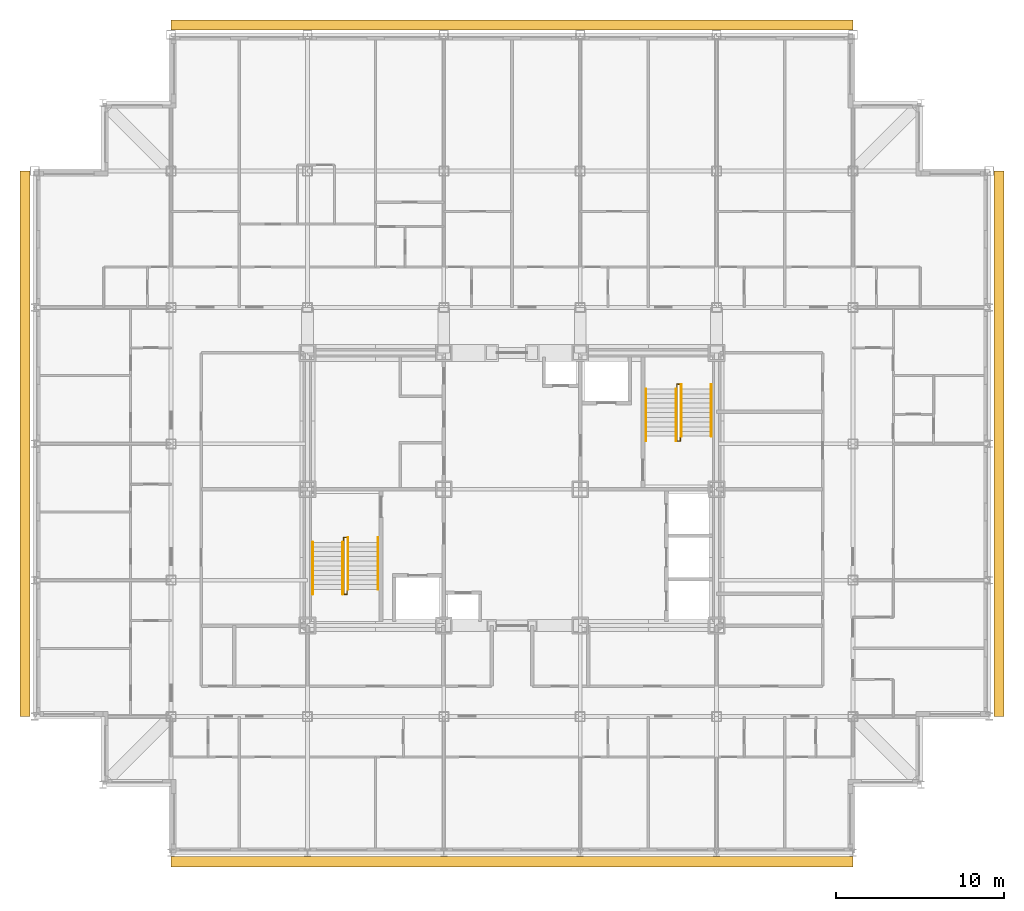
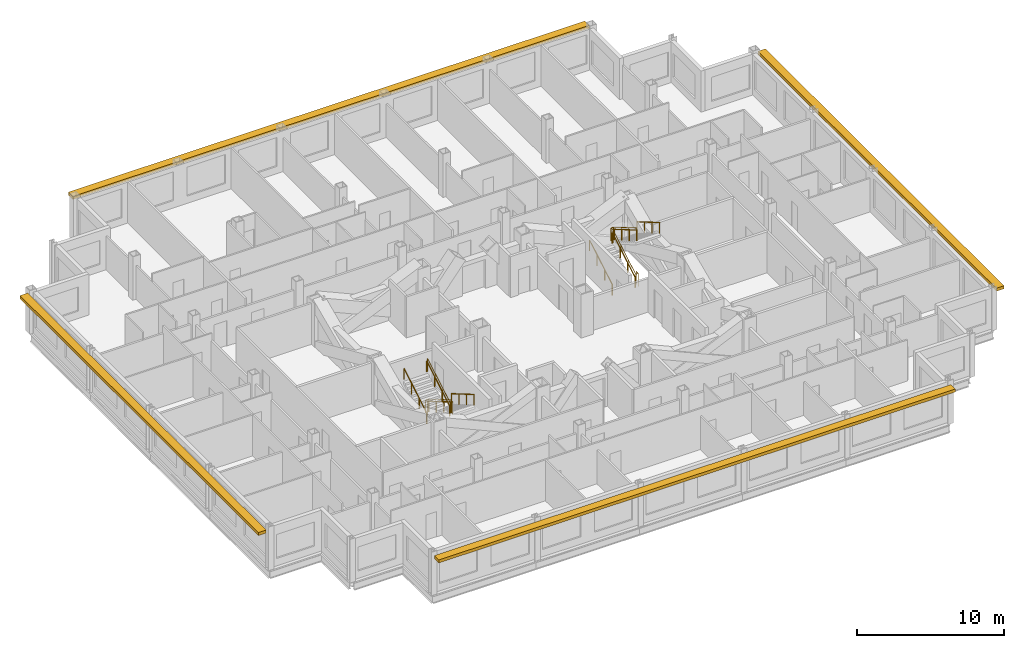
# One storey, part 12 of 12: 10 railings, 4 shading devices.
"""IFC4 building model written with IfcOpenShell, lengths in metres."""

from ifc_helpers import new_model, si_unit, direction, frame, origin, origin_2d, place, context, subcontext, project, spatial, rectangle, circle, extrude, material, type_object, element, save


model = new_model("IFC4")

# Units and contexts
model_context = context("Model", 3, precision=1e-05, world=origin(), true_north=direction((0.0, 1.0)))
body_context = subcontext(model_context, "Body", "Model", "MODEL_VIEW")
ifc_project = project(units=[si_unit("LENGTHUNIT", "METRE"), si_unit("AREAUNIT", "SQUARE_METRE"), si_unit("VOLUMEUNIT", "CUBIC_METRE"), si_unit("PLANEANGLEUNIT", "RADIAN"), si_unit("MASSUNIT", "GRAM", prefix="KILO")], contexts=[model_context])

# Site, building, storey
site_placement = place(None, origin())
site = spatial("IfcSite", under=ifc_project, at=site_placement, CompositionType="ELEMENT")
building_placement = place(site_placement, origin())
building = spatial("IfcBuilding", under=site, at=building_placement, Name="Kopane Lantern Tower", CompositionType="ELEMENT")
storey_placement = place(building_placement, frame((0.0, 0.0, 199.199951171875)))
storey = spatial("IfcBuildingStorey", under=building, at=storey_placement, Name="L51", CompositionType="ELEMENT", Elevation=199.199951171875)

# Railings
ifc_material_1 = material(Name="Steel", Category="steel")
railing_type_1 = type_object("IfcRailingType", Name="STAIR GUARD 1100", PredefinedType="GUARDRAIL", material=ifc_material_1)
railing_1_placement = place(storey_placement, frame((18.35009765625, 29.25, 0.0)))
element("IfcRailing", 1, at=railing_1_placement, inside=storey, type_object=railing_type_1, Name="ST1 well guard L51", PredefinedType="GUARDRAIL", context=body_context, shape_type="SweptSolid", body=[
    extrude(circle(Radius=0.02392578125, at=origin_2d()), frame((0.0, 0.0, 1.076171875), z_axis=(0.0, 1.0, 0.0), x_axis=(-1.0, 0.0, 0.0)), (0.0, 0.0, 1.0), 0.280029296875),
    extrude(circle(Radius=0.02392578125, at=origin_2d()), frame((0.0, 0.280029296875, 1.076171875), z_axis=(1.0, 0.0, 0.0), x_axis=(0.0, 1.0, 0.0)), (0.0, 0.0, 1.0), 0.199951171875),
    extrude(circle(Radius=0.02392578125, at=origin_2d()), frame((0.199951171875, 0.280029296875, 1.076171875), z_axis=(0.0, -0.863371556955, 0.504568681787), x_axis=(1.0, 0.0, 0.0)), (0.0, 0.0, 1.0), 3.5673828125),
    extrude(circle(Radius=0.02392578125, at=origin_2d()), frame((0.199951171875, -2.800048828125, 2.8759765625), z_axis=(0.0, -1.0, 0.0), x_axis=(1.0, 0.0, 0.0)), (0.0, 0.0, 1.0), 0.280029296875),
    extrude(circle(Radius=0.02392578125, at=origin_2d()), frame((0.199951171875, -3.080078125, 2.8759765625), z_axis=(-1.0, 0.0, 0.0), x_axis=(0.0, -1.0, 0.0)), (0.0, 0.0, 1.0), 0.199951171875),
    extrude(circle(Radius=0.02392578125, at=origin_2d()), frame((0.0, -3.080078125, 2.8759765625), z_axis=(0.0, 0.863371556955, 0.504568681787), x_axis=(-1.0, 0.0, 0.0)), (0.0, 0.0, 1.0), 3.5673828125),
    extrude(circle(Radius=0.02099609375, at=origin_2d()), origin(), (0.0, 0.0, 1.0), 1.052001953125),
    extrude(circle(Radius=0.02099609375, at=origin_2d()), frame((0.0, 0.280029296875, 0.0)), (0.0, 0.0, 1.0), 1.052001953125),
    extrude(circle(Radius=0.02099609375, at=origin_2d()), frame((0.199951171875, 0.280029296875, 0.0)), (0.0, 0.0, 1.0), 1.052001953125),
    extrude(circle(Radius=0.02099609375, at=origin_2d()), frame((0.199951171875, -0.74658203125, 0.60009765625)), (0.0, 0.0, 1.0), 1.052001953125),
    extrude(circle(Radius=0.02099609375, at=origin_2d()), frame((0.199951171875, -1.7734375, 1.199951171875)), (0.0, 0.0, 1.0), 1.052001953125),
    extrude(circle(Radius=0.02099609375, at=origin_2d()), frame((0.199951171875, -2.800048828125, 1.800048828125)), (0.0, 0.0, 1.0), 1.052001953125),
    extrude(circle(Radius=0.02099609375, at=origin_2d()), frame((0.199951171875, -3.080078125, 1.800048828125)), (0.0, 0.0, 1.0), 1.052001953125),
    extrude(circle(Radius=0.02099609375, at=origin_2d()), frame((0.0, -3.080078125, 1.800048828125)), (0.0, 0.0, 1.0), 1.052001953125),
    extrude(circle(Radius=0.02099609375, at=origin_2d()), frame((0.0, -2.053466796875, 2.400146484375)), (0.0, 0.0, 1.0), 1.052001953125),
    extrude(circle(Radius=0.02099609375, at=origin_2d()), frame((0.0, -1.026611328125, 3.0)), (0.0, 0.0, 1.0), 1.052001953125),
    extrude(circle(Radius=0.02099609375, at=origin_2d()), frame((0.0, 0.0, 3.60009765625)), (0.0, 0.0, 1.0), 1.052001953125),
])
railing_2_placement = place(storey_placement, frame((38.35009765625, 35.550048828125, 0.0)))
element("IfcRailing", 2, at=railing_2_placement, inside=storey, type_object=railing_type_1, Name="ST2 well guard L51", PredefinedType="GUARDRAIL", context=body_context, shape_type="SweptSolid", body=[
    extrude(circle(Radius=0.02392578125, at=origin_2d()), frame((0.0, 0.0, 1.076171875), z_axis=(0.0, -1.0, 0.0), x_axis=(1.0, 0.0, 0.0)), (0.0, 0.0, 1.0), 0.280029296875),
    extrude(circle(Radius=0.02392578125, at=origin_2d()), frame((0.0, -0.280029296875, 1.076171875), z_axis=(-1.0, 0.0, 0.0), x_axis=(0.0, -1.0, 0.0)), (0.0, 0.0, 1.0), 0.2001953125),
    extrude(circle(Radius=0.02392578125, at=origin_2d()), frame((-0.2001953125, -0.280029296875, 1.076171875), z_axis=(0.0, 0.863371556955, 0.504568681787), x_axis=(-1.0, 0.0, 0.0)), (0.0, 0.0, 1.0), 3.5673828125),
    extrude(circle(Radius=0.02392578125, at=origin_2d()), frame((-0.2001953125, 2.800048828125, 2.8759765625), z_axis=(0.0, 1.0, 0.0), x_axis=(-1.0, 0.0, 0.0)), (0.0, 0.0, 1.0), 0.27978515625),
    extrude(circle(Radius=0.02392578125, at=origin_2d()), frame((-0.2001953125, 3.079833984375, 2.8759765625), z_axis=(1.0, 0.0, 0.0), x_axis=(0.0, 1.0, 0.0)), (0.0, 0.0, 1.0), 0.2001953125),
    extrude(circle(Radius=0.02392578125, at=origin_2d()), frame((0.0, 3.079833984375, 2.8759765625), z_axis=(0.0, -0.863354132664, 0.504598495452), x_axis=(1.0, 0.0, 0.0)), (0.0, 0.0, 1.0), 3.5673828125),
    extrude(circle(Radius=0.02099609375, at=origin_2d()), origin(), (0.0, 0.0, 1.0), 1.052001953125),
    extrude(circle(Radius=0.02099609375, at=origin_2d()), frame((0.0, -0.280029296875, 0.0)), (0.0, 0.0, 1.0), 1.052001953125),
    extrude(circle(Radius=0.02099609375, at=origin_2d()), frame((-0.2001953125, -0.280029296875, 0.0)), (0.0, 0.0, 1.0), 1.052001953125),
    extrude(circle(Radius=0.02099609375, at=origin_2d()), frame((-0.2001953125, 0.74658203125, 0.60009765625)), (0.0, 0.0, 1.0), 1.052001953125),
    extrude(circle(Radius=0.02099609375, at=origin_2d()), frame((-0.2001953125, 1.7734375, 1.199951171875)), (0.0, 0.0, 1.0), 1.052001953125),
    extrude(circle(Radius=0.02099609375, at=origin_2d()), frame((-0.2001953125, 2.800048828125, 1.800048828125)), (0.0, 0.0, 1.0), 1.052001953125),
    extrude(circle(Radius=0.02099609375, at=origin_2d()), frame((-0.2001953125, 3.079833984375, 1.800048828125)), (0.0, 0.0, 1.0), 1.052001953125),
    extrude(circle(Radius=0.02099609375, at=origin_2d()), frame((0.0, 3.079833984375, 1.800048828125)), (0.0, 0.0, 1.0), 1.052001953125),
    extrude(circle(Radius=0.02099609375, at=origin_2d()), frame((0.0, 2.05322265625, 2.400146484375)), (0.0, 0.0, 1.0), 1.052001953125),
    extrude(circle(Radius=0.02099609375, at=origin_2d()), frame((0.0, 1.026611328125, 3.0)), (0.0, 0.0, 1.0), 1.052001953125),
    extrude(circle(Radius=0.02099609375, at=origin_2d()), frame((0.0, 0.0, 3.60009765625)), (0.0, 0.0, 1.0), 1.052001953125),
])
ifc_material_2 = material(Name="Steel", Category="steel")
railing_type_2 = type_object("IfcRailingType", Name="STAIR HANDRAIL 900", PredefinedType="HANDRAIL", material=ifc_material_2)
for number, where, name in (
    (3, (20.389892578125, 29.530029296875, 0.0), "ST1 handrail L51 flight 1"),
    (4, (18.610107421875, 29.530029296875, 0.0), "ST1 handrail L51 flight 1"),
):
    element("IfcRailing", number, at=place(storey_placement, frame(where)), inside=storey, type_object=railing_type_2, Name=name, PredefinedType="HANDRAIL", context=body_context, shape_type="SweptSolid", body=[
        extrude(circle(Radius=0.02392578125, at=origin_2d()), frame((0.0, 0.0, 0.8759765625), z_axis=(0.0, -0.863371556955, 0.504568681787), x_axis=(1.0, 0.0, 0.0)), (0.0, 0.0, 1.0), 3.5673828125),
        extrude(circle(Radius=0.02099609375, at=origin_2d()), origin(), (0.0, 0.0, 1.0), 0.851806640625),
        extrude(circle(Radius=0.02099609375, at=origin_2d()), frame((0.0, -1.026611328125, 0.60009765625)), (0.0, 0.0, 1.0), 0.851806640625),
        extrude(circle(Radius=0.02099609375, at=origin_2d()), frame((0.0, -2.053466796875, 1.199951171875)), (0.0, 0.0, 1.0), 0.851806640625),
        extrude(circle(Radius=0.02099609375, at=origin_2d()), frame((0.0, -3.080078125, 1.800048828125)), (0.0, 0.0, 1.0), 0.851806640625),
    ])
for number, where, name in (
    (5, (16.510009765625, 26.169921875, 1.800048828125), "ST1 handrail L51 flight 2"),
    (6, (18.2900390625, 26.169921875, 1.800048828125), "ST1 handrail L51 flight 2"),
    (7, (36.31005859375, 35.27001953125, 0.0), "ST2 handrail L51 flight 1"),
    (8, (38.090087890625, 35.27001953125, 0.0), "ST2 handrail L51 flight 1"),
):
    element("IfcRailing", number, at=place(storey_placement, frame(where)), inside=storey, type_object=railing_type_2, Name=name, PredefinedType="HANDRAIL", context=body_context, shape_type="SweptSolid", body=[
        extrude(circle(Radius=0.02392578125, at=origin_2d()), frame((0.0, 0.0, 0.8759765625), z_axis=(0.0, 0.863371556955, 0.504568681787), x_axis=(-1.0, 0.0, 0.0)), (0.0, 0.0, 1.0), 3.5673828125),
        extrude(circle(Radius=0.02099609375, at=origin_2d()), origin(), (0.0, 0.0, 1.0), 0.851806640625),
        extrude(circle(Radius=0.02099609375, at=origin_2d()), frame((0.0, 1.026611328125, 0.60009765625)), (0.0, 0.0, 1.0), 0.851806640625),
        extrude(circle(Radius=0.02099609375, at=origin_2d()), frame((0.0, 2.053466796875, 1.199951171875)), (0.0, 0.0, 1.0), 0.851806640625),
        extrude(circle(Radius=0.02099609375, at=origin_2d()), frame((0.0, 3.080078125, 1.800048828125)), (0.0, 0.0, 1.0), 0.851806640625),
    ])
for number, where, name in (
    (9, (40.18994140625, 38.6298828125, 1.800048828125), "ST2 handrail L51 flight 2"),
    (10, (38.409912109375, 38.6298828125, 1.800048828125), "ST2 handrail L51 flight 2"),
):
    element("IfcRailing", number, at=place(storey_placement, frame(where)), inside=storey, type_object=railing_type_2, Name=name, PredefinedType="HANDRAIL", context=body_context, shape_type="SweptSolid", body=[
        extrude(circle(Radius=0.02392578125, at=origin_2d()), frame((0.0, 0.0, 0.8759765625), z_axis=(0.0, -0.863354132664, 0.504598495452), x_axis=(1.0, 0.0, 0.0)), (0.0, 0.0, 1.0), 3.5673828125),
        extrude(circle(Radius=0.02099609375, at=origin_2d()), origin(), (0.0, 0.0, 1.0), 0.851806640625),
        extrude(circle(Radius=0.02099609375, at=origin_2d()), frame((0.0, -1.026611328125, 0.60009765625)), (0.0, 0.0, 1.0), 0.851806640625),
        extrude(circle(Radius=0.02099609375, at=origin_2d()), frame((0.0, -2.05322265625, 1.199951171875)), (0.0, 0.0, 1.0), 0.851806640625),
        extrude(circle(Radius=0.02099609375, at=origin_2d()), frame((0.0, -3.079833984375, 1.800048828125)), (0.0, 0.0, 1.0), 0.851806640625),
    ])

# Shading devices
ifc_material_3 = material(Name="Terracotta rainscreen on light steel framing", Category="masonry")
shading_device_type = type_object("IfcShadingDeviceType", Name="SUNSHADE BAND SB1 600 TERRACOTTA", PredefinedType="USERDEFINED", material=ifc_material_3)
shading_device_1_placement = place(storey_placement, frame((28.35009765625, 10.272216796875, 3.0), z_axis=(0.0, 0.0, 1.0), x_axis=(1.0, 0.0, 0.0)))
element("IfcShadingDevice", 11, at=shading_device_1_placement, inside=storey, type_object=shading_device_type, Name="Sunshade band S L51", ObjectType="SUNSHADE BAND", PredefinedType="USERDEFINED", context=body_context, shape_type="SweptSolid", body=[
    extrude(rectangle(XDim=40.5, YDim=0.60009765625, at=origin_2d()), origin(), (0.0, 0.0, 1.0), 0.25),
])
shading_device_2_placement = place(storey_placement, frame((57.27490234375, 35.10009765625, 3.0), z_axis=(0.0, 0.0, 1.0), x_axis=(0.0, 1.0, 0.0)))
element("IfcShadingDevice", 12, at=shading_device_2_placement, inside=storey, type_object=shading_device_type, Name="Sunshade band E L51", ObjectType="SUNSHADE BAND", PredefinedType="USERDEFINED", context=body_context, shape_type="SweptSolid", body=[
    extrude(rectangle(XDim=32.39990234375, YDim=0.60009765625, at=origin_2d()), origin(), (0.0, 0.0, 1.0), 0.25),
])
shading_device_3_placement = place(storey_placement, frame((28.35009765625, 59.97509765625, 3.0), z_axis=(0.0, 0.0, 1.0), x_axis=(-1.0, 0.0, 0.0)))
element("IfcShadingDevice", 13, at=shading_device_3_placement, inside=storey, type_object=shading_device_type, Name="Sunshade band N L51", ObjectType="SUNSHADE BAND", PredefinedType="USERDEFINED", context=body_context, shape_type="SweptSolid", body=[
    extrude(rectangle(XDim=40.5, YDim=0.60009765625, at=origin_2d()), origin(), (0.0, 0.0, 1.0), 0.25),
])
shading_device_4_placement = place(storey_placement, frame((-0.574951171875, 35.10009765625, 3.0), z_axis=(0.0, 0.0, 1.0), x_axis=(0.0, -1.0, 0.0)))
element("IfcShadingDevice", 14, at=shading_device_4_placement, inside=storey, type_object=shading_device_type, Name="Sunshade band W L51", ObjectType="SUNSHADE BAND", PredefinedType="USERDEFINED", context=body_context, shape_type="SweptSolid", body=[
    extrude(rectangle(XDim=32.39990234375, YDim=0.60009765625, at=origin_2d()), origin(), (0.0, 0.0, 1.0), 0.25),
])

save(model, "model.ifc")
